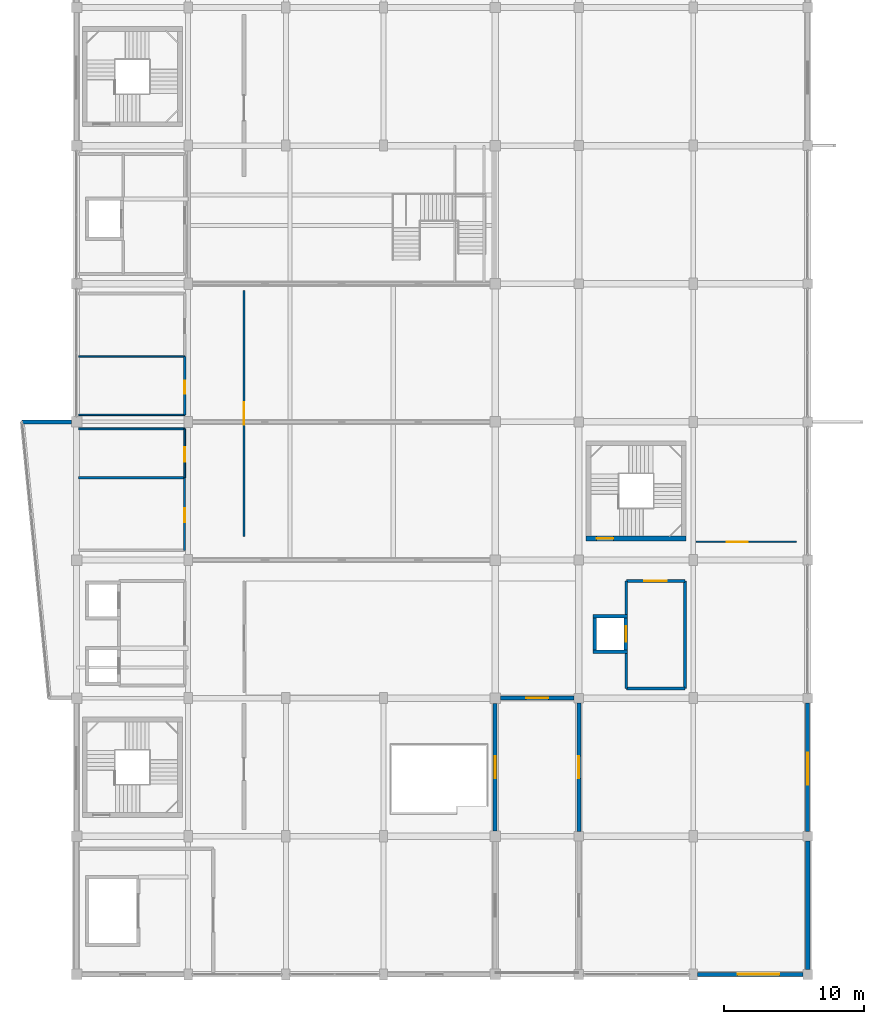
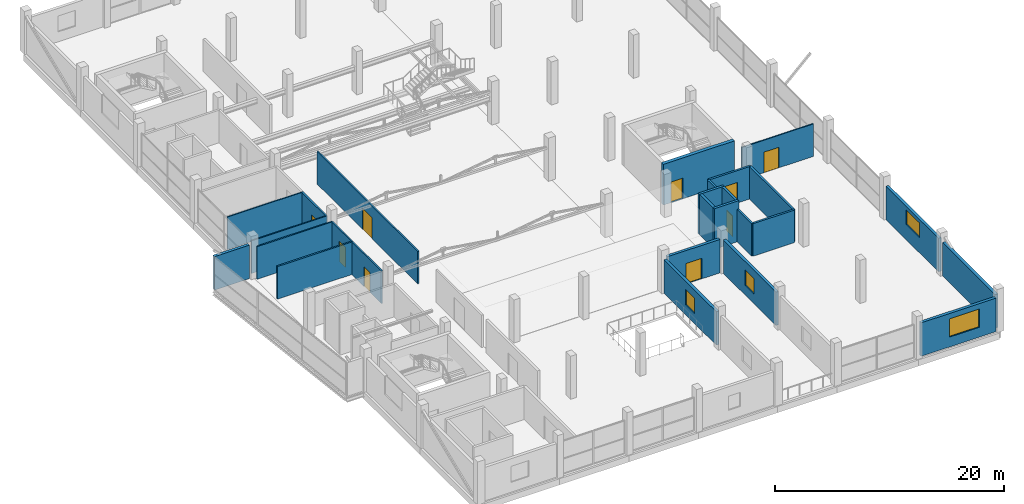
# One storey, part 37 of 49: 26 walls, 9 doors, 4 windows, 13 openings.
"""IFC4 building model written with IfcOpenShell, lengths in metres."""

import ifcopenshell
import ifcopenshell.guid

model = None  # the IFC model being written
_history = None  # IfcOwnerHistory: only IFC2X3 demands one
_inside = {}  # id of a spatial element -> (the spatial element, [elements in it])
_under = {}  # id of a project, library or spatial element -> (it, [spatial elements below it])
_declared = {}  # id of a project -> (the project, [libraries it declares])
_typed = {}  # id of a type object -> (the type object, [elements of that type])
_made_of = {}  # id of a material, layer set ... -> (it, [elements and type objects made of it])


def new_model(schema):
    """Start an empty IFC model of exactly this schema.

    Asked for "IFC4X3", IfcOpenShell would pick the latest addendum, in which some entities
    have other attributes; the version numbers below select the first issue.
    IFC2X3 requires an IfcOwnerHistory on every rooted entity: one is made here for all.
    """
    global model, _history
    if schema == "IFC4X3":
        model = ifcopenshell.file(schema_version=(4, 3, 0, 0))
    else:
        model = ifcopenshell.file(schema=schema)
    _inside.clear()
    _under.clear()
    _declared.clear()
    _typed.clear()
    _made_of.clear()
    _history = None
    if model.schema == "IFC2X3":
        org = make("IfcOrganization", Name="unknown")
        user = make(
            "IfcPersonAndOrganization",
            ThePerson=make("IfcPerson", FamilyName="unknown"),
            TheOrganization=org,
        )
        app = make(
            "IfcApplication",
            ApplicationDeveloper=org,
            Version="unknown",
            ApplicationFullName="unknown",
            ApplicationIdentifier="unknown",
        )
        _history = make(
            "IfcOwnerHistory",
            OwningUser=user,
            OwningApplication=app,
            ChangeAction="ADDED",
            CreationDate=0,
        )
    return model


def make(cls, **values):
    """One entity of the class cls with the attributes given. An attribute that is None is left unset."""
    return model.create_entity(
        cls, **{name: value for name, value in values.items() if value is not None}
    )


def rooted(cls, **values):
    """An entity with a GlobalId (a new one), such as an element, a storey or a relation."""
    return make(cls, GlobalId=ifcopenshell.guid.new(), OwnerHistory=_history, **values)


def si_unit(unit_type, name, prefix=None):
    """IfcSIUnit, for example si_unit("LENGTHUNIT", "METRE", prefix="MILLI")."""
    return make("IfcSIUnit", UnitType=unit_type, Prefix=prefix, Name=name)


def assignment(units):
    """IfcUnitAssignment: the units of a project."""
    return None if units is None else make("IfcUnitAssignment", Units=units)


def point(xyz):
    """IfcCartesianPoint."""
    return None if xyz is None else make("IfcCartesianPoint", Coordinates=xyz)


def direction(xyz):
    """IfcDirection."""
    return None if xyz is None else make("IfcDirection", DirectionRatios=xyz)


def frame(location, z_axis=None, x_axis=None):
    """IfcAxis2Placement3D, a coordinate frame: its origin and axes. An axis left out is left unset."""
    return make(
        "IfcAxis2Placement3D",
        Location=point(location),
        Axis=direction(z_axis),
        RefDirection=direction(x_axis),
    )


def frame_2d(location, x_axis=None):
    """IfcAxis2Placement2D, a coordinate frame in the plane: its origin and x axis."""
    return make(
        "IfcAxis2Placement2D", Location=point(location), RefDirection=direction(x_axis)
    )


def origin():
    """The frame at (0, 0, 0) with its axes left unset."""
    return frame((0.0, 0.0, 0.0))


def place(relative_to, where):
    """IfcLocalPlacement: puts the frame where relative to a parent placement (None: the world)."""
    return make(
        "IfcLocalPlacement", PlacementRelTo=relative_to, RelativePlacement=where
    )


def context(
    kind, dimensions, precision=None, world=None, true_north=None, identifier=None
):
    """IfcGeometricRepresentationContext, for example the 3D "Model" context."""
    return make(
        "IfcGeometricRepresentationContext",
        ContextIdentifier=identifier,
        ContextType=kind,
        CoordinateSpaceDimension=dimensions,
        Precision=precision,
        WorldCoordinateSystem=world,
        TrueNorth=true_north,
    )


def subcontext(parent, identifier, kind, view, scale=None):
    """IfcGeometricRepresentationSubContext, for example "Body" below "Model"."""
    return make(
        "IfcGeometricRepresentationSubContext",
        ContextIdentifier=identifier,
        ContextType=kind,
        ParentContext=parent,
        TargetScale=scale,
        TargetView=view,
    )


def project(units=None, contexts=None):
    """IfcProject with its units and contexts."""
    return rooted(
        "IfcProject",
        Name="project",
        RepresentationContexts=contexts,
        UnitsInContext=assignment(units),
    )


def spatial(cls, under=None, at=None, **own):
    """A site, building, storey or space (cls), placed at a placement, below another one or the project."""
    s = rooted(cls, ObjectPlacement=at, **own)
    if under is not None:
        _under.setdefault(under.id(), (under, []))[1].append(s)
    return s


def profile(cls, at=None, kind="AREA", **sizes):
    """A parametric profile (cls). Its sizes go by their IFC names, for example OverallWidth=200.0."""
    return make(cls, ProfileType=kind, Position=at, **sizes)


def rectangle(**sizes):
    """IfcRectangleProfileDef."""
    return profile("IfcRectangleProfileDef", **sizes)


def extrude(swept, where, along, depth):
    """IfcExtrudedAreaSolid: the profile swept, set in the frame where, extruded along a direction by depth."""
    return make(
        "IfcExtrudedAreaSolid",
        SweptArea=swept,
        Position=where,
        ExtrudedDirection=direction(along),
        Depth=depth,
    )


def shape(context_of_items, identifier, shape_type, items):
    """IfcShapeRepresentation: the items that make up one representation, for example the "Body"."""
    return make(
        "IfcShapeRepresentation",
        ContextOfItems=context_of_items,
        RepresentationIdentifier=identifier,
        RepresentationType=shape_type,
        Items=items,
    )


def material(Name=None, Category=None):
    """IfcMaterial."""
    return make("IfcMaterial", Name=Name, Category=Category)


def layer(
    of_material, thickness, ventilated=None, Name=None, Category=None, Priority=None
):
    """IfcMaterialLayer: one layer of a wall or slab, of a material (None: an air gap)."""
    return make(
        "IfcMaterialLayer",
        Material=of_material,
        LayerThickness=thickness,
        IsVentilated=ventilated,
        Name=Name,
        Category=Category,
        Priority=Priority,
    )


def layer_set(layers, Name=None):
    """IfcMaterialLayerSet."""
    return make("IfcMaterialLayerSet", MaterialLayers=layers, LayerSetName=Name)


def made_of(thing, what):
    """Note that an element or type object is made of a material, layer set ...; save() writes the relation."""
    if what is not None:
        _made_of.setdefault(what.id(), (what, []))[1].append(thing)
    return thing


def type_object(cls, material=None, **own):
    """A type object (cls), such as IfcWallType, which elements share."""
    return made_of(rooted(cls, **own), material)


def element(
    cls,
    number,
    at=None,
    inside=None,
    cuts=None,
    type_object=None,
    material=None,
    context=None,
    identifier="Body",
    shape_type=None,
    held_by="IfcProductDefinitionShape",
    body=None,
    shapes=None,
    **own,
):
    """One element of the class cls, such as IfcWall. Its Tag is "e" and its number.

    at: its placement. inside: the storey or other place that contains it. cuts: it is an
    opening in that element (IfcRelVoidsElement). A single representation is given by context,
    identifier, shape_type and body (its items); several are given by shapes. held_by: the class
    of the entity that holds the representations. save() writes the other relations.
    """
    e = rooted(cls, Tag="e%d" % number, ObjectPlacement=at, **own)
    if body is not None:
        shapes = [shape(context, identifier, shape_type, body)]
    if shapes is not None:
        e.Representation = make(held_by, Representations=shapes)
    if inside is not None:
        _inside.setdefault(inside.id(), (inside, []))[1].append(e)
    if cuts is not None:
        rooted(
            "IfcRelVoidsElement", RelatingBuildingElement=cuts, RelatedOpeningElement=e
        )
    if type_object is not None:
        _typed.setdefault(type_object.id(), (type_object, []))[1].append(e)
    return made_of(e, material)


def fill(opening, filler):
    """IfcRelFillsElement: the door or window that sits in an opening."""
    return rooted(
        "IfcRelFillsElement",
        RelatingOpeningElement=opening,
        RelatedBuildingElement=filler,
    )


def aggregate(whole, parts):
    """IfcRelAggregates: a whole, such as a stair, and the parts it consists of."""
    return rooted("IfcRelAggregates", RelatingObject=whole, RelatedObjects=parts)


def save(model, path):
    """Write the relations noted so far, then the file.

    IfcRelAggregates (storeys below a building ...), IfcRelContainedInSpatialStructure (elements
    in a storey), IfcRelDefinesByType, IfcRelAssociatesMaterial and IfcRelDeclares: one each for
    every whole, place, type object, material and project.
    """
    for whole, parts in _under.values():
        aggregate(whole, parts)
    for where, things in _inside.values():
        rooted(
            "IfcRelContainedInSpatialStructure",
            RelatedElements=things,
            RelatingStructure=where,
        )
    for kind, things in _typed.values():
        rooted("IfcRelDefinesByType", RelatedObjects=things, RelatingType=kind)
    for what, things in _made_of.values():
        rooted("IfcRelAssociatesMaterial", RelatedObjects=things, RelatingMaterial=what)
    for by, libraries in _declared.values():
        rooted("IfcRelDeclares", RelatingContext=by, RelatedDefinitions=libraries)
    model.write(path)


model = new_model("IFC4")

# Units and contexts
model_context = context("Model", 3, precision=1e-05, world=origin(), true_north=direction((0.0, 1.0)))
body_context = subcontext(model_context, "Body", "Model", "MODEL_VIEW")
ifc_project = project(units=[si_unit("LENGTHUNIT", "METRE"), si_unit("AREAUNIT", "SQUARE_METRE"), si_unit("VOLUMEUNIT", "CUBIC_METRE"), si_unit("PLANEANGLEUNIT", "RADIAN"), si_unit("MASSUNIT", "GRAM", prefix="KILO")], contexts=[model_context])

# Site, building, storey
site_placement = place(None, origin())
site = spatial("IfcSite", under=ifc_project, at=site_placement, CompositionType="ELEMENT")
building_placement = place(site_placement, origin())
building = spatial("IfcBuilding", under=site, at=building_placement, Name="Sillaruma Civic Art Gallery", CompositionType="ELEMENT")
storey_placement = place(building_placement, frame((0.0, 0.0, 33.14990234375)))
storey = spatial("IfcBuildingStorey", under=building, at=storey_placement, Name="L06", CompositionType="ELEMENT", Elevation=33.14990234375)

# Wall, opening, door
ifc_material_1 = material(Name="Concrete H40 (40 MPa)", Category="concrete")
ifc_layer_1 = layer(ifc_material_1, 0.35009765625, Name="Concrete H40 (40 MPa)")
ifc_layer_set_1 = layer_set([ifc_layer_1], Name="Concrete H40 (40 MPa)")
wall_type_1 = type_object("IfcWallType", Name="WAL-CORE-350", PredefinedType="SHEAR", material=ifc_layer_set_1)
wall_1_placement = place(storey_placement, frame((98.510009765625, 51.034912109375, 0.0), z_axis=(0.0, 0.0, 1.0), x_axis=(1.0, 0.0, 0.0)))
wall_1 = element("IfcWall", 1, at=wall_1_placement, inside=storey, type_object=wall_type_1, Name="Stair Core Shear Wall W-CORE-350 (ST-04:L06:S)", PredefinedType="SHEAR", context=body_context, shape_type="SweptSolid", body=[
    extrude(rectangle(XDim=7.179931640625, YDim=0.35009765625, at=frame_2d((3.58984375, 0.0))), origin(), (0.0, 0.0, 1.0), 4.35009765625),
])
opening_1_placement = place(wall_1_placement, frame((0.77001953125, 0.0, 0.0)))
opening_1 = element("IfcOpeningElement", 2, at=opening_1_placement, cuts=wall_1, Name="Opening D-STAIR", PredefinedType="OPENING", context=body_context, shape_type="SweptSolid", body=[
    extrude(rectangle(XDim=1.199951171875, YDim=2.199951171875, at=frame_2d((0.60009765625, 1.10009765625))), frame((0.0, 0.18505859375, 0.0), z_axis=(0.0, -1.0, 0.0), x_axis=(1.0, 0.0, 0.0)), (0.0, 0.0, 1.0), 0.3701171875),
])
ifc_material_2 = material(Name="Galvanised Steel ASTM A653 Gr.50", Category="steel")
door_type_1 = type_object("IfcDoorType", Name="DOR-STAIR-120", OperationType="NOTDEFINED", PredefinedType="DOOR", material=ifc_material_2)
door_1_placement = place(opening_1_placement, origin())
door_1 = element("IfcDoor", 3, at=door_1_placement, inside=storey, type_object=door_type_1, Name="Protected Stair Fire Door (ST-04:L06)", OperationType="SINGLE_SWING_RIGHT", OverallHeight=2.199951171875, OverallWidth=1.199951171875, PredefinedType="DOOR", context=body_context, shape_type="SweptSolid", body=[
    extrude(rectangle(XDim=1.199951171875, YDim=2.199951171875, at=frame_2d((0.60009765625, 1.10009765625))), frame((0.0, 0.02490234375, 0.0), z_axis=(0.0, -1.0, 0.0), x_axis=(1.0, 0.0, 0.0)), (0.0, 0.0, 1.0), 0.050048828125),
])
fill(opening_1, door_1)

# Wall, opening, window
ifc_material_3 = material(Name="Concrete H35 (35 MPa)", Category="concrete")
ifc_layer_2 = layer(ifc_material_3, 0.159912109375, Name="Concrete backup", Category="concrete")
ifc_material_4 = material(Name="Mineral Wool Thermal Insulation", Category="insulation")
ifc_layer_3 = layer(ifc_material_4, 0.090087890625, Name="Thermal insulation", Category="insulation")
ifc_material_5 = material(Name="Anodised Zinc-Aluminium Alloy", Category="aluminium")
ifc_layer_4 = layer(ifc_material_5, 0.030029296875, Name="Rainscreen finish", Category="aluminium")
ifc_layer_set_2 = layer_set([ifc_layer_2, ifc_layer_3, ifc_layer_4], Name="W-EXT-280")
wall_type_2 = type_object("IfcWallType", Name="WAL-EXT-280", PredefinedType="SOLIDWALL", material=ifc_layer_set_2)
wall_2_placement = place(storey_placement, frame((114.39990234375, 30.050048828125, 0.0), z_axis=(0.0, 0.0, 1.0), x_axis=(0.0, 1.0, 0.0)))
wall_2 = element("IfcWall", 4, at=wall_2_placement, inside=storey, type_object=wall_type_2, Name="Exterior Wall W-EXT-280 (EW-L06-E-2)", PredefinedType="SOLIDWALL", context=body_context, shape_type="SweptSolid", body=[
    extrude(rectangle(XDim=9.199951171875, YDim=0.280029296875, at=frame_2d((4.60009765625, 0.0))), origin(), (0.0, 0.0, 1.0), 3.570068359375),
])
opening_2_placement = place(wall_2_placement, frame((3.35009765625, 0.0, 1.64990234375)))
opening_2 = element("IfcOpeningElement", 5, at=opening_2_placement, cuts=wall_2, Name="Opening WN-12", PredefinedType="OPENING", context=body_context, shape_type="SweptSolid", body=[
    extrude(rectangle(XDim=2.300048828125, YDim=1.550048828125, at=frame_2d((1.14990234375, 0.77490234375))), frame((0.0, 0.14990234375, 0.0), z_axis=(0.0, -1.0, 0.0), x_axis=(1.0, 0.0, 0.0)), (0.0, 0.0, 1.0), 0.300048828125),
])
ifc_material_6 = material(Name="Thermally Broken Extruded Aluminium 6063-T6", Category="aluminium")
window_type_1 = type_object("IfcWindowType", Name="WIN-W12", PartitioningType="SINGLE_PANEL", PredefinedType="WINDOW", material=ifc_material_6)
window_1_placement = place(opening_2_placement, origin())
window_1 = element("IfcWindow", 6, at=window_1_placement, inside=storey, type_object=window_type_1, Name="Window WN-12 (EW-L06-E-2-1)", OverallHeight=1.550048828125, OverallWidth=2.300048828125, PartitioningType="SINGLE_PANEL", PredefinedType="WINDOW", context=body_context, shape_type="SweptSolid", body=[
    extrude(rectangle(XDim=2.300048828125, YDim=1.550048828125, at=frame_2d((1.14990234375, 0.77490234375))), frame((0.0, 0.030029296875, 0.0), z_axis=(0.0, -1.0, 0.0), x_axis=(1.0, 0.0, 0.0)), (0.0, 0.0, 1.0), 0.06005859375),
])
fill(opening_2, window_1)

# Wall
wall_3_placement = place(storey_placement, frame((61.625, 59.39990234375, 0.0), z_axis=(0.0, 0.0, 1.0), x_axis=(-1.0, 0.0, 0.0)))
element("IfcWall", 7, at=wall_3_placement, inside=storey, type_object=wall_type_2, Name="Exterior Wall W-EXT-280 (EW-PRW-L06-W-S1)", PredefinedType="SOLIDWALL", context=body_context, shape_type="SweptSolid", body=[
    extrude(rectangle(XDim=3.52490234375, YDim=0.280029296875, at=frame_2d((1.762451171875, 0.0))), origin(), (0.0, 0.0, 1.0), 3.570068359375),
])

# Wall, opening, door
wall_4_placement = place(storey_placement, frame((92.375, 39.60009765625, 0.0), z_axis=(0.0, 0.0, 1.0), x_axis=(1.0, 0.0, 0.0)))
wall_4 = element("IfcWall", 8, at=wall_4_placement, inside=storey, type_object=wall_type_2, Name="Exterior Wall W-EXT-280 (EW-L06-CYN-S)", PredefinedType="SOLIDWALL", context=body_context, shape_type="SweptSolid", body=[
    extrude(rectangle(XDim=5.27490234375, YDim=0.280029296875, at=frame_2d((2.637451171875, 0.0))), origin(), (0.0, 0.0, 1.0), 3.570068359375),
])
opening_3_placement = place(wall_4_placement, frame((1.837890625, 0.0, 0.0)))
opening_3 = element("IfcOpeningElement", 9, at=opening_3_placement, cuts=wall_4, Name="Opening D-TER2", PredefinedType="OPENING", context=body_context, shape_type="SweptSolid", body=[
    extrude(rectangle(XDim=1.60009765625, YDim=2.199951171875, at=frame_2d((0.800048828125, 1.10009765625))), frame((0.0, 0.14990234375, 0.0), z_axis=(0.0, -1.0, 0.0), x_axis=(1.0, 0.0, 0.0)), (0.0, 0.0, 1.0), 0.300048828125),
])
door_type_2 = type_object("IfcDoorType", Name="DOR-TER-160", OperationType="NOTDEFINED", PredefinedType="DOOR", material=ifc_material_6)
door_2_placement = place(opening_3_placement, frame((1.60009765625, 0.0, 0.0), z_axis=(0.0, 0.0, 1.0), x_axis=(-1.0, 0.0, 0.0)))
door_2 = element("IfcDoor", 10, at=door_2_placement, inside=storey, type_object=door_type_2, Name="L06 Canyon Sculpture Terrace Door", OperationType="DOUBLE_DOOR_SINGLE_SWING", OverallHeight=2.199951171875, OverallWidth=1.60009765625, PredefinedType="DOOR", context=body_context, shape_type="SweptSolid", body=[
    extrude(rectangle(XDim=1.60009765625, YDim=2.199951171875, at=frame_2d((0.800048828125, 1.10009765625))), frame((0.0, 0.02490234375, 0.0), z_axis=(0.0, -1.0, 0.0), x_axis=(1.0, 0.0, 0.0)), (0.0, 0.0, 1.0), 0.050048828125),
])
fill(opening_3, door_2)

# Wall, opening, window
wall_5_placement = place(storey_placement, frame((92.0, 30.074951171875, 0.0), z_axis=(0.0, 0.0, 1.0), x_axis=(0.0, 1.0, 0.0)))
wall_5 = element("IfcWall", 11, at=wall_5_placement, inside=storey, type_object=wall_type_2, Name="Exterior Wall W-EXT-280 (EW-L06-CYN-W2)", PredefinedType="SOLIDWALL", context=body_context, shape_type="SweptSolid", body=[
    extrude(rectangle(XDim=9.150146484375, YDim=0.280029296875, at=frame_2d((4.5751953125, 0.0))), origin(), (0.0, 0.0, 1.0), 3.570068359375),
])
opening_4_placement = place(wall_5_placement, frame((3.77490234375, 0.0, 1.050048828125)))
opening_4 = element("IfcOpeningElement", 12, at=opening_4_placement, cuts=wall_5, Name="Opening WN-05", PredefinedType="OPENING", context=body_context, shape_type="SweptSolid", body=[
    extrude(rectangle(XDim=1.60009765625, YDim=1.64990234375, at=frame_2d((0.800048828125, 0.824951171875))), frame((0.0, 0.14990234375, 0.0), z_axis=(0.0, -1.0, 0.0), x_axis=(1.0, 0.0, 0.0)), (0.0, 0.0, 1.0), 0.300048828125),
])
window_type_2 = type_object("IfcWindowType", Name="WIN-W05", PartitioningType="SINGLE_PANEL", PredefinedType="WINDOW", material=ifc_material_6)
window_2_placement = place(opening_4_placement, origin())
window_2 = element("IfcWindow", 13, at=window_2_placement, inside=storey, type_object=window_type_2, Name="Window WN-05 (EW-L06-CYN-W2-1)", OverallHeight=1.64990234375, OverallWidth=1.60009765625, PartitioningType="SINGLE_PANEL", PredefinedType="WINDOW", context=body_context, shape_type="SweptSolid", body=[
    extrude(rectangle(XDim=1.60009765625, YDim=1.64990234375, at=frame_2d((0.800048828125, 0.824951171875))), frame((0.0, 0.030029296875, 0.0), z_axis=(0.0, -1.0, 0.0), x_axis=(1.0, 0.0, 0.0)), (0.0, 0.0, 1.0), 0.06005859375),
])
fill(opening_4, window_2)

wall_6_placement = place(storey_placement, frame((98.0, 30.050048828125, 0.0), z_axis=(0.0, 0.0, 1.0), x_axis=(0.0, 1.0, 0.0)))
wall_6 = element("IfcWall", 14, at=wall_6_placement, inside=storey, type_object=wall_type_2, Name="Exterior Wall W-EXT-280 (EW-L06-CYN-E2)", PredefinedType="SOLIDWALL", context=body_context, shape_type="SweptSolid", body=[
    extrude(rectangle(XDim=9.199951171875, YDim=0.280029296875, at=frame_2d((4.60009765625, 0.0))), origin(), (0.0, 0.0, 1.0), 3.570068359375),
])
opening_5_placement = place(wall_6_placement, frame((3.800048828125, 0.0, 1.050048828125)))
opening_5 = element("IfcOpeningElement", 15, at=opening_5_placement, cuts=wall_6, Name="Opening WN-05", PredefinedType="OPENING", context=body_context, shape_type="SweptSolid", body=[
    extrude(rectangle(XDim=1.60009765625, YDim=1.64990234375, at=frame_2d((0.800048828125, 0.824951171875))), frame((0.0, 0.14990234375, 0.0), z_axis=(0.0, -1.0, 0.0), x_axis=(1.0, 0.0, 0.0)), (0.0, 0.0, 1.0), 0.300048828125),
])
window_3_placement = place(opening_5_placement, origin())
window_3 = element("IfcWindow", 16, at=window_3_placement, inside=storey, type_object=window_type_2, Name="Window WN-05 (EW-L06-CYN-E2-1)", OverallHeight=1.64990234375, OverallWidth=1.60009765625, PartitioningType="SINGLE_PANEL", PredefinedType="WINDOW", context=body_context, shape_type="SweptSolid", body=[
    extrude(rectangle(XDim=1.60009765625, YDim=1.64990234375, at=frame_2d((0.800048828125, 0.824951171875))), frame((0.0, 0.030029296875, 0.0), z_axis=(0.0, -1.0, 0.0), x_axis=(1.0, 0.0, 0.0)), (0.0, 0.0, 1.0), 0.06005859375),
])
fill(opening_5, window_3)

ifc_layer_5 = layer(ifc_material_3, 0.169921875, Name="Concrete backup", Category="concrete")
ifc_layer_6 = layer(ifc_material_4, 0.090087890625, Name="Thermal insulation", Category="insulation")
ifc_layer_7 = layer(ifc_material_5, 0.030029296875, Name="Rainscreen finish", Category="aluminium")
ifc_layer_set_3 = layer_set([ifc_layer_5, ifc_layer_6, ifc_layer_7], Name="W-EXT-290")
wall_type_3 = type_object("IfcWallType", Name="WAL-EXT-290", PredefinedType="SOLIDWALL", material=ifc_layer_set_3)
wall_7_placement = place(storey_placement, frame((106.5, 19.800048828125, 0.0), z_axis=(0.0, 0.0, 1.0), x_axis=(1.0, 0.0, 0.0)))
wall_7 = element("IfcWall", 17, at=wall_7_placement, inside=storey, type_object=wall_type_3, Name="Exterior Wall W-EXT-290 (EW-L06-S-7)", PredefinedType="SOLIDWALL", context=body_context, shape_type="SweptSolid", body=[
    extrude(rectangle(XDim=7.550048828125, YDim=0.2900390625, at=frame_2d((3.77490234375, 0.0))), origin(), (0.0, 0.0, 1.0), 3.570068359375),
])
opening_6_placement = place(wall_7_placement, frame((2.875, 0.0, 1.050048828125)))
opening_6 = element("IfcOpeningElement", 18, at=opening_6_placement, cuts=wall_7, Name="Opening WN-10", PredefinedType="OPENING", context=body_context, shape_type="SweptSolid", body=[
    extrude(rectangle(XDim=3.0, YDim=1.949951171875, at=frame_2d((1.5, 0.97509765625))), frame((0.0, 0.155029296875, 0.0), z_axis=(0.0, -1.0, 0.0), x_axis=(1.0, 0.0, 0.0)), (0.0, 0.0, 1.0), 0.31005859375),
])
window_type_3 = type_object("IfcWindowType", Name="WIN-W10", PartitioningType="SINGLE_PANEL", PredefinedType="WINDOW", material=ifc_material_6)
window_4_placement = place(opening_6_placement, origin())
window_4 = element("IfcWindow", 19, at=window_4_placement, inside=storey, type_object=window_type_3, Name="Window WN-10 (EW-L06-S-7-1)", OverallHeight=1.949951171875, OverallWidth=3.0, PartitioningType="SINGLE_PANEL", PredefinedType="WINDOW", context=body_context, shape_type="SweptSolid", body=[
    extrude(rectangle(XDim=3.0, YDim=1.949951171875, at=frame_2d((1.5, 0.97509765625))), frame((0.0, 0.030029296875, 0.0), z_axis=(0.0, -1.0, 0.0), x_axis=(1.0, 0.0, 0.0)), (0.0, 0.0, 1.0), 0.06005859375),
])
fill(opening_6, window_4)

# Walls
ifc_material_7 = material(Name="Precast Concrete H35 (35 MPa)", Category="concrete")
ifc_layer_8 = layer(ifc_material_7, 0.179931640625, Name="Precast backup", Category="concrete")
ifc_layer_9 = layer(ifc_material_4, 0.090087890625, Name="Thermal insulation", Category="insulation")
ifc_material_8 = material(Name="Comanche Granitic Ashlar Stone", Category="masonry")
ifc_layer_10 = layer(ifc_material_8, 0.030029296875, Name="Rainscreen cladding", Category="masonry")
ifc_layer_set_4 = layer_set([ifc_layer_8, ifc_layer_9, ifc_layer_10], Name="W-EXT-300")
wall_type_4 = type_object("IfcWallType", Name="WAL-EXT-300", PredefinedType="SOLIDWALL", material=ifc_layer_set_4)
wall_8_placement = place(storey_placement, frame((114.39990234375, 20.14990234375, 0.0), z_axis=(0.0, 0.0, 1.0), x_axis=(0.0, 1.0, 0.0)))
element("IfcWall", 20, at=wall_8_placement, inside=storey, type_object=wall_type_4, Name="Exterior Wall W-EXT-300 (EW-L06-E-1)", PredefinedType="SOLIDWALL", context=body_context, shape_type="SweptSolid", body=[
    extrude(rectangle(XDim=9.2001953125, YDim=0.300048828125, at=frame_2d((4.60009765625, 0.0))), origin(), (0.0, 0.0, 1.0), 3.570068359375),
])
ifc_material_9 = material(Name="Concrete Masonry Unit Grade M15", Category="masonry")
ifc_layer_11 = layer(ifc_material_9, 0.199951171875, Name="Concrete Masonry Unit Grade M15")
ifc_layer_set_5 = layer_set([ifc_layer_11], Name="Concrete Masonry Unit Grade M15")
wall_type_5 = type_object("IfcWallType", Name="WAL-LOBBY-200", PredefinedType="SOLIDWALL", material=ifc_layer_set_5)
wall_9_placement = place(storey_placement, frame((101.39990234375, 40.300048828125, 0.0), z_axis=(0.0, 0.0, 1.0), x_axis=(1.0, 0.0, 0.0)))
element("IfcWall", 21, at=wall_9_placement, inside=storey, type_object=wall_type_5, Name="Interior Wall W-LOBBY-200 (L06-LLE)", PredefinedType="SOLIDWALL", context=body_context, shape_type="SweptSolid", body=[
    extrude(rectangle(XDim=4.2001953125, YDim=0.199951171875, at=frame_2d((2.10009765625, 0.0))), origin(), (0.0, 0.0, 1.0), 3.47021484375),
])
wall_10_placement = place(storey_placement, frame((101.39990234375, 40.300048828125, 0.0), z_axis=(0.0, 0.0, 1.0), x_axis=(0.0, 1.0, 0.0)))
element("IfcWall", 22, at=wall_10_placement, inside=storey, type_object=wall_type_5, Name="Interior Wall W-LOBBY-200 (L06-LLE)", PredefinedType="SOLIDWALL", context=body_context, shape_type="SweptSolid", body=[
    extrude(rectangle(XDim=2.5, YDim=0.199951171875, at=frame_2d((1.25, 0.0))), origin(), (0.0, 0.0, 1.0), 3.47021484375),
])
wall_11_placement = place(storey_placement, frame((101.39990234375, 45.60009765625, 0.0), z_axis=(0.0, 0.0, 1.0), x_axis=(0.0, 1.0, 0.0)))
element("IfcWall", 23, at=wall_11_placement, inside=storey, type_object=wall_type_5, Name="Interior Wall W-LOBBY-200 (L06-LLE)", PredefinedType="SOLIDWALL", context=body_context, shape_type="SweptSolid", body=[
    extrude(rectangle(XDim=2.39990234375, YDim=0.199951171875, at=frame_2d((1.199951171875, 0.0))), origin(), (0.0, 0.0, 1.0), 3.47021484375),
])
wall_12_placement = place(storey_placement, frame((105.60009765625, 40.300048828125, 0.0), z_axis=(0.0, 0.0, 1.0), x_axis=(0.0, 1.0, 0.0)))
element("IfcWall", 24, at=wall_12_placement, inside=storey, type_object=wall_type_5, Name="Interior Wall W-LOBBY-200 (L06-LLE)", PredefinedType="SOLIDWALL", context=body_context, shape_type="SweptSolid", body=[
    extrude(rectangle(XDim=7.699951171875, YDim=0.199951171875, at=frame_2d((3.85009765625, 0.0))), origin(), (0.0, 0.0, 1.0), 3.47021484375),
])

# Wall, opening, door
wall_13_placement = place(storey_placement, frame((101.39990234375, 48.0, 0.0), z_axis=(0.0, 0.0, 1.0), x_axis=(1.0, 0.0, 0.0)))
wall_13 = element("IfcWall", 25, at=wall_13_placement, inside=storey, type_object=wall_type_5, Name="Interior Wall W-LOBBY-200 (L06-LLE)", PredefinedType="SOLIDWALL", context=body_context, shape_type="SweptSolid", body=[
    extrude(rectangle(XDim=4.2001953125, YDim=0.199951171875, at=frame_2d((2.10009765625, 0.0))), origin(), (0.0, 0.0, 1.0), 3.47021484375),
])
opening_7_placement = place(wall_13_placement, frame((1.300048828125, 0.0, 0.0)))
opening_7 = element("IfcOpeningElement", 26, at=opening_7_placement, cuts=wall_13, Name="Opening D-LOBBY", PredefinedType="OPENING", context=body_context, shape_type="SweptSolid", body=[
    extrude(rectangle(XDim=1.60009765625, YDim=2.199951171875, at=frame_2d((0.800048828125, 1.10009765625))), frame((0.0, 0.10986328125, 0.0), z_axis=(0.0, -1.0, 0.0), x_axis=(1.0, 0.0, 0.0)), (0.0, 0.0, 1.0), 0.219970703125),
])
door_type_3 = type_object("IfcDoorType", Name="DOR-LOBBY-160", OperationType="NOTDEFINED", PredefinedType="DOOR", material=ifc_material_6)
door_3_placement = place(opening_7_placement, origin())
door_3 = element("IfcDoor", 27, at=door_3_placement, inside=storey, type_object=door_type_3, Name="East Lift Lobby Door (D-LOBBY)", OperationType="DOUBLE_DOOR_SINGLE_SWING", OverallHeight=2.199951171875, OverallWidth=1.60009765625, PredefinedType="DOOR", context=body_context, shape_type="SweptSolid", body=[
    extrude(rectangle(XDim=1.60009765625, YDim=2.199951171875, at=frame_2d((0.800048828125, 1.10009765625))), frame((0.0, 0.02490234375, 0.0), z_axis=(0.0, -1.0, 0.0), x_axis=(1.0, 0.0, 0.0)), (0.0, 0.0, 1.0), 0.050048828125),
])
fill(opening_7, door_3)

# Walls
ifc_material_10 = material(Name="Gypsum Acoustic Board", Category="gypsum")
ifc_layer_12 = layer(ifc_material_10, 0.02490234375, Name="Finish board", Category="gypsum")
ifc_layer_13 = layer(ifc_material_4, 0.06005859375, Name="Acoustic core", Category="insulation")
ifc_material_11 = material(Name="Andean Oak Timber", Category="wood")
ifc_layer_14 = layer(ifc_material_11, 0.02490234375, Name="Gallery lining", Category="wood")
ifc_layer_set_6 = layer_set([ifc_layer_12, ifc_layer_13, ifc_layer_14], Name="W-PT-110")
wall_type_6 = type_object("IfcWallType", Name="WAL-PART-110", PredefinedType="PARTITIONING", material=ifc_layer_set_6)
wall_14_placement = place(storey_placement, frame((62.14990234375, 64.10009765625, 0.0), z_axis=(0.0, 0.0, 1.0), x_axis=(1.0, 0.0, 0.0)))
element("IfcWall", 28, at=wall_14_placement, inside=storey, type_object=wall_type_6, Name="Interior Wall W-PT-110 (L06-CLN)", PredefinedType="PARTITIONING", context=body_context, shape_type="SweptSolid", body=[
    extrude(rectangle(XDim=7.60009765625, YDim=0.110107421875, at=frame_2d((3.800048828125, 0.0))), origin(), (0.0, 0.0, 1.0), 3.47021484375),
])
ifc_layer_15 = layer(ifc_material_10, 0.02490234375, Name="Finish board", Category="gypsum")
ifc_layer_16 = layer(ifc_material_4, 0.070068359375, Name="Acoustic core", Category="insulation")
ifc_layer_17 = layer(ifc_material_11, 0.02490234375, Name="Gallery lining", Category="wood")
ifc_layer_set_7 = layer_set([ifc_layer_15, ifc_layer_16, ifc_layer_17], Name="W-PT-120")
wall_type_7 = type_object("IfcWallType", Name="WAL-PART-120", PredefinedType="PARTITIONING", material=ifc_layer_set_7)
wall_15_placement = place(storey_placement, frame((62.14990234375, 59.89990234375, 0.0), z_axis=(0.0, 0.0, 1.0), x_axis=(1.0, 0.0, 0.0)))
element("IfcWall", 29, at=wall_15_placement, inside=storey, type_object=wall_type_7, Name="Interior Wall W-PT-120 (L06-CLN)", PredefinedType="PARTITIONING", context=body_context, shape_type="SweptSolid", body=[
    extrude(rectangle(XDim=7.60009765625, YDim=0.1201171875, at=frame_2d((3.800048828125, 0.0))), origin(), (0.0, 0.0, 1.0), 3.47021484375),
])

# Wall, opening, door
wall_16_placement = place(storey_placement, frame((106.39990234375, 50.800048828125, 0.0), z_axis=(0.0, 0.0, 1.0), x_axis=(1.0, 0.0, 0.0)))
wall_16 = element("IfcWall", 30, at=wall_16_placement, inside=storey, type_object=wall_type_7, Name="Interior Wall W-PT-120 (L06-CNS62)", PredefinedType="PARTITIONING", context=body_context, shape_type="SweptSolid", body=[
    extrude(rectangle(XDim=7.2001953125, YDim=0.1201171875, at=frame_2d((3.60009765625, 0.0))), origin(), (0.0, 0.0, 1.0), 3.47021484375),
])
opening_8_placement = place(wall_16_placement, frame((2.199951171875, 0.0, 0.0)))
opening_8 = element("IfcOpeningElement", 31, at=opening_8_placement, cuts=wall_16, Name="Opening D-INT15", PredefinedType="OPENING", context=body_context, shape_type="SweptSolid", body=[
    extrude(rectangle(XDim=1.5, YDim=2.199951171875, at=frame_2d((0.75, 1.10009765625))), frame((0.0, 0.070068359375, 0.0), z_axis=(0.0, -1.0, 0.0), x_axis=(1.0, 0.0, 0.0)), (0.0, 0.0, 1.0), 0.14013671875),
])
door_type_4 = type_object("IfcDoorType", Name="DOR-INT-150", OperationType="NOTDEFINED", PredefinedType="DOOR", material=ifc_material_11)
door_4_placement = place(opening_8_placement, origin())
door_4 = element("IfcDoor", 32, at=door_4_placement, inside=storey, type_object=door_type_4, Name="Analytical Imaging Conservation Studio Door (D-INT15)", OperationType="SINGLE_SWING_RIGHT", OverallHeight=2.199951171875, OverallWidth=1.5, PredefinedType="DOOR", context=body_context, shape_type="SweptSolid", body=[
    extrude(rectangle(XDim=1.5, YDim=2.199951171875, at=frame_2d((0.75, 1.10009765625))), frame((0.0, 0.02490234375, 0.0), z_axis=(0.0, -1.0, 0.0), x_axis=(1.0, 0.0, 0.0)), (0.0, 0.0, 1.0), 0.050048828125),
])
fill(opening_8, door_4)

ifc_layer_18 = layer(ifc_material_10, 0.02490234375, Name="Finish board", Category="gypsum")
ifc_layer_19 = layer(ifc_material_4, 0.080078125, Name="Acoustic core", Category="insulation")
ifc_layer_20 = layer(ifc_material_11, 0.02490234375, Name="Gallery lining", Category="wood")
ifc_layer_set_8 = layer_set([ifc_layer_18, ifc_layer_19, ifc_layer_20], Name="W-PT-130")
wall_type_8 = type_object("IfcWallType", Name="WAL-PART-130", PredefinedType="PARTITIONING", material=ifc_layer_set_8)
wall_17_placement = place(storey_placement, frame((69.75, 55.39990234375, 0.0), z_axis=(0.0, 0.0, 1.0), x_axis=(0.0, 1.0, 0.0)))
wall_17 = element("IfcWall", 33, at=wall_17_placement, inside=storey, type_object=wall_type_8, Name="Interior Wall W-PT-130 (L06-WCA)", PredefinedType="PARTITIONING", context=body_context, shape_type="SweptSolid", body=[
    extrude(rectangle(XDim=3.5, YDim=0.1298828125, at=frame_2d((1.75, 0.0))), origin(), (0.0, 0.0, 1.0), 3.47021484375),
])
opening_9_placement = place(wall_17_placement, frame((1.14990234375, 0.0, 0.0)))
opening_9 = element("IfcOpeningElement", 34, at=opening_9_placement, cuts=wall_17, Name="Opening D-AWC10", PredefinedType="OPENING", context=body_context, shape_type="SweptSolid", body=[
    extrude(rectangle(XDim=1.050048828125, YDim=2.14990234375, at=frame_2d((0.52490234375, 1.074951171875))), frame((0.0, 0.074951171875, 0.0), z_axis=(0.0, -1.0, 0.0), x_axis=(1.0, 0.0, 0.0)), (0.0, 0.0, 1.0), 0.14990234375),
])
door_type_5 = type_object("IfcDoorType", Name="DOR-AWC-105", OperationType="NOTDEFINED", PredefinedType="DOOR", material=ifc_material_11)
door_5_placement = place(opening_9_placement, origin())
door_5 = element("IfcDoor", 35, at=door_5_placement, inside=storey, type_object=door_type_5, Name="Accessible WC Door (D-AWC10)", OperationType="SINGLE_SWING_LEFT", OverallHeight=2.14990234375, OverallWidth=1.050048828125, PredefinedType="DOOR", context=body_context, shape_type="SweptSolid", body=[
    extrude(rectangle(XDim=1.050048828125, YDim=2.14990234375, at=frame_2d((0.52490234375, 1.074951171875))), frame((0.0, 0.02490234375, 0.0), z_axis=(0.0, -1.0, 0.0), x_axis=(1.0, 0.0, 0.0)), (0.0, 0.0, 1.0), 0.050048828125),
])
fill(opening_9, door_5)

# Wall
ifc_layer_21 = layer(ifc_material_10, 0.02490234375, Name="Finish board", Category="gypsum")
ifc_layer_22 = layer(ifc_material_4, 0.090087890625, Name="Acoustic core", Category="insulation")
ifc_layer_23 = layer(ifc_material_11, 0.02490234375, Name="Gallery lining", Category="wood")
ifc_layer_set_9 = layer_set([ifc_layer_21, ifc_layer_22, ifc_layer_23], Name="W-PT-140")
wall_type_9 = type_object("IfcWallType", Name="WAL-PART-140", PredefinedType="PARTITIONING", material=ifc_layer_set_9)
wall_18_placement = place(storey_placement, frame((62.14990234375, 58.89990234375, 0.0), z_axis=(0.0, 0.0, 1.0), x_axis=(1.0, 0.0, 0.0)))
element("IfcWall", 36, at=wall_18_placement, inside=storey, type_object=wall_type_9, Name="Interior Wall W-PT-140 (L06-WCA)", PredefinedType="PARTITIONING", context=body_context, shape_type="SweptSolid", body=[
    extrude(rectangle(XDim=7.60009765625, YDim=0.139892578125, at=frame_2d((3.800048828125, 0.0))), origin(), (0.0, 0.0, 1.0), 3.47021484375),
])

# Wall, opening, door
ifc_layer_24 = layer(ifc_material_10, 0.02490234375, Name="Finish board", Category="gypsum")
ifc_layer_25 = layer(ifc_material_4, 0.10009765625, Name="Acoustic core", Category="insulation")
ifc_layer_26 = layer(ifc_material_11, 0.02490234375, Name="Gallery lining", Category="wood")
ifc_layer_set_10 = layer_set([ifc_layer_24, ifc_layer_25, ifc_layer_26], Name="W-PT-150")
wall_type_10 = type_object("IfcWallType", Name="WAL-PART-150", PredefinedType="PARTITIONING", material=ifc_layer_set_10)
wall_19_placement = place(storey_placement, frame((69.75, 50.199951171875, 0.0), z_axis=(0.0, 0.0, 1.0), x_axis=(0.0, 1.0, 0.0)))
wall_19 = element("IfcWall", 37, at=wall_19_placement, inside=storey, type_object=wall_type_10, Name="Interior Wall W-PT-150 (L06-WC1)", PredefinedType="PARTITIONING", context=body_context, shape_type="SweptSolid", body=[
    extrude(rectangle(XDim=5.199951171875, YDim=0.14990234375, at=frame_2d((2.60009765625, 0.0))), origin(), (0.0, 0.0, 1.0), 3.47021484375),
])
opening_10_placement = place(wall_19_placement, frame((2.0, 0.0, 0.0)))
opening_10 = element("IfcOpeningElement", 38, at=opening_10_placement, cuts=wall_19, Name="Opening D-WC10", PredefinedType="OPENING", context=body_context, shape_type="SweptSolid", body=[
    extrude(rectangle(XDim=1.0, YDim=2.10009765625, at=frame_2d((0.5, 1.050048828125))), frame((0.0, 0.0849609375, 0.0), z_axis=(0.0, -1.0, 0.0), x_axis=(1.0, 0.0, 0.0)), (0.0, 0.0, 1.0), 0.169921875),
])
door_type_6 = type_object("IfcDoorType", Name="DOR-WC-100", OperationType="NOTDEFINED", PredefinedType="DOOR", material=ifc_material_11)
door_6_placement = place(opening_10_placement, origin())
door_6 = element("IfcDoor", 39, at=door_6_placement, inside=storey, type_object=door_type_6, Name="Public WC Door (D-WC10)", OperationType="SINGLE_SWING_RIGHT", OverallHeight=2.10009765625, OverallWidth=1.0, PredefinedType="DOOR", context=body_context, shape_type="SweptSolid", body=[
    extrude(rectangle(XDim=1.0, YDim=2.10009765625, at=frame_2d((0.5, 1.050048828125))), frame((0.0, 0.02490234375, 0.0), z_axis=(0.0, -1.0, 0.0), x_axis=(1.0, 0.0, 0.0)), (0.0, 0.0, 1.0), 0.050048828125),
])
fill(opening_10, door_6)

wall_20_placement = place(storey_placement, frame((74.0, 51.199951171875, 0.0), z_axis=(0.0, 0.0, 1.0), x_axis=(0.0, 1.0, 0.0)))
wall_20 = element("IfcWall", 40, at=wall_20_placement, inside=storey, type_object=wall_type_10, Name="Interior Wall W-PT-150 (L06-CNS61)", PredefinedType="PARTITIONING", context=body_context, shape_type="SweptSolid", body=[
    extrude(rectangle(XDim=17.60009765625, YDim=0.14990234375, at=frame_2d((8.800048828125, 0.0))), origin(), (0.0, 0.0, 1.0), 3.47021484375),
])
opening_11_placement = place(wall_20_placement, frame((8.0, 0.0, 0.0)))
opening_11 = element("IfcOpeningElement", 41, at=opening_11_placement, cuts=wall_20, Name="Opening D-INT16", PredefinedType="OPENING", context=body_context, shape_type="SweptSolid", body=[
    extrude(rectangle(XDim=1.60009765625, YDim=2.25, at=frame_2d((0.800048828125, 1.125))), frame((0.0, 0.0849609375, 0.0), z_axis=(0.0, -1.0, 0.0), x_axis=(1.0, 0.0, 0.0)), (0.0, 0.0, 1.0), 0.169921875),
])
door_type_7 = type_object("IfcDoorType", Name="DOR-INT-160", OperationType="NOTDEFINED", PredefinedType="DOOR", material=ifc_material_11)
door_7_placement = place(opening_11_placement, origin())
door_7 = element("IfcDoor", 42, at=door_7_placement, inside=storey, type_object=door_type_7, Name="Objects and Ceramics Conservation Studio Door (D-INT16)", OperationType="DOUBLE_DOOR_SINGLE_SWING", OverallHeight=2.25, OverallWidth=1.60009765625, PredefinedType="DOOR", context=body_context, shape_type="SweptSolid", body=[
    extrude(rectangle(XDim=1.60009765625, YDim=2.25, at=frame_2d((0.800048828125, 1.125))), frame((0.0, 0.02490234375, 0.0), z_axis=(0.0, -1.0, 0.0), x_axis=(1.0, 0.0, 0.0)), (0.0, 0.0, 1.0), 0.050048828125),
])
fill(opening_11, door_7)

# Wall
ifc_layer_27 = layer(ifc_material_10, 0.02490234375, Name="Finish board", Category="gypsum")
ifc_layer_28 = layer(ifc_material_4, 0.114990234375, Name="Acoustic core", Category="insulation")
ifc_layer_29 = layer(ifc_material_11, 0.02490234375, Name="Gallery lining", Category="wood")
ifc_layer_set_11 = layer_set([ifc_layer_27, ifc_layer_28, ifc_layer_29], Name="W-PT-165")
wall_type_11 = type_object("IfcWallType", Name="WAL-PART-165", PredefinedType="PARTITIONING", material=ifc_layer_set_11)
wall_21_placement = place(storey_placement, frame((62.14990234375, 55.39990234375, 0.0), z_axis=(0.0, 0.0, 1.0), x_axis=(1.0, 0.0, 0.0)))
element("IfcWall", 43, at=wall_21_placement, inside=storey, type_object=wall_type_11, Name="Interior Wall W-PT-165 (L06-WC1)", PredefinedType="PARTITIONING", context=body_context, shape_type="SweptSolid", body=[
    extrude(rectangle(XDim=7.60009765625, YDim=0.1650390625, at=frame_2d((3.800048828125, 0.0))), origin(), (0.0, 0.0, 1.0), 3.47021484375),
])

# Wall, opening, door
ifc_layer_30 = layer(ifc_material_10, 0.02490234375, Name="Finish board", Category="gypsum")
ifc_layer_31 = layer(ifc_material_4, 0.1298828125, Name="Acoustic core", Category="insulation")
ifc_layer_32 = layer(ifc_material_11, 0.02490234375, Name="Gallery lining", Category="wood")
ifc_layer_set_12 = layer_set([ifc_layer_30, ifc_layer_31, ifc_layer_32], Name="W-PT-180")
wall_type_12 = type_object("IfcWallType", Name="WAL-PART-180", PredefinedType="PARTITIONING", material=ifc_layer_set_12)
wall_22_placement = place(storey_placement, frame((69.75, 59.89990234375, 0.0), z_axis=(0.0, 0.0, 1.0), x_axis=(0.0, 1.0, 0.0)))
wall_22 = element("IfcWall", 44, at=wall_22_placement, inside=storey, type_object=wall_type_12, Name="Interior Wall W-PT-180 (L06-CLN)", PredefinedType="PARTITIONING", context=body_context, shape_type="SweptSolid", body=[
    extrude(rectangle(XDim=4.2001953125, YDim=0.179931640625, at=frame_2d((2.10009765625, 0.0))), origin(), (0.0, 0.0, 1.0), 3.47021484375),
])
opening_12_placement = place(wall_22_placement, frame((1.5, 0.0, 0.0)))
opening_12 = element("IfcOpeningElement", 45, at=opening_12_placement, cuts=wall_22, Name="Opening D-SVC09", PredefinedType="OPENING", context=body_context, shape_type="SweptSolid", body=[
    extrude(rectangle(XDim=0.949951171875, YDim=2.10009765625, at=frame_2d((0.47509765625, 1.050048828125))), frame((0.0, 0.099853515625, 0.0), z_axis=(0.0, -1.0, 0.0), x_axis=(1.0, 0.0, 0.0)), (0.0, 0.0, 1.0), 0.199951171875),
])
door_type_8 = type_object("IfcDoorType", Name="DOR-SVC-095", OperationType="NOTDEFINED", PredefinedType="DOOR", material=ifc_material_11)
door_8_placement = place(opening_12_placement, origin())
door_8 = element("IfcDoor", 46, at=door_8_placement, inside=storey, type_object=door_type_8, Name="Cleaner Store Door (D-SVC09)", OperationType="SINGLE_SWING_RIGHT", OverallHeight=2.10009765625, OverallWidth=0.949951171875, PredefinedType="DOOR", context=body_context, shape_type="SweptSolid", body=[
    extrude(rectangle(XDim=0.949951171875, YDim=2.10009765625, at=frame_2d((0.47509765625, 1.050048828125))), frame((0.0, 0.02490234375, 0.0), z_axis=(0.0, -1.0, 0.0), x_axis=(1.0, 0.0, 0.0)), (0.0, 0.0, 1.0), 0.050048828125),
])
fill(opening_12, door_8)

# Walls
ifc_layer_33 = layer(ifc_material_1, 0.25, Name="Concrete H40 (40 MPa)")
ifc_layer_set_13 = layer_set([ifc_layer_33], Name="Concrete H40 (40 MPa)")
wall_type_13 = type_object("IfcWallType", Name="WAL-SHAFT-250", PredefinedType="SOLIDWALL", material=ifc_layer_set_13)
for number, where, z_axis, x_axis, name in (
    (47, (99.0, 42.925048828125, 0.0), (0.0, 0.0, 1.0), (1.0, 0.0, 0.0), "Lift Shaft Wall W-SHAFT-250 (PL-03:L06:S)"),
    (48, (99.0, 45.47509765625, 0.0), (0.0, 0.0, 1.0), (1.0, 0.0, 0.0), "Lift Shaft Wall W-SHAFT-250 (PL-03:L06:N)"),
):
    element("IfcWall", number, at=place(storey_placement, frame(where, z_axis=z_axis, x_axis=x_axis)), inside=storey, type_object=wall_type_13, Name=name, PredefinedType="SOLIDWALL", context=body_context, shape_type="SweptSolid", body=[
        extrude(rectangle(XDim=2.5, YDim=0.25, at=frame_2d((1.25, 0.0))), origin(), (0.0, 0.0, 1.0), 4.330078125),
    ])
wall_23_placement = place(storey_placement, frame((99.125, 43.050048828125, 0.0), z_axis=(0.0, 0.0, 1.0), x_axis=(0.0, 1.0, 0.0)))
element("IfcWall", 49, at=wall_23_placement, inside=storey, type_object=wall_type_13, Name="Lift Shaft Wall W-SHAFT-250 (PL-03:L06:W)", PredefinedType="SOLIDWALL", context=body_context, shape_type="SweptSolid", body=[
    extrude(rectangle(XDim=2.300048828125, YDim=0.25, at=frame_2d((1.14990234375, 0.0))), origin(), (0.0, 0.0, 1.0), 4.330078125),
])

# Wall, opening, door
wall_24_placement = place(storey_placement, frame((101.375, 43.050048828125, 0.0), z_axis=(0.0, 0.0, 1.0), x_axis=(0.0, 1.0, 0.0)))
wall_24 = element("IfcWall", 50, at=wall_24_placement, inside=storey, type_object=wall_type_13, Name="Lift Shaft Wall W-SHAFT-250 (PL-03:L06:E)", PredefinedType="SOLIDWALL", context=body_context, shape_type="SweptSolid", body=[
    extrude(rectangle(XDim=2.300048828125, YDim=0.25, at=frame_2d((1.14990234375, 0.0))), origin(), (0.0, 0.0, 1.0), 4.330078125),
])
opening_13_placement = place(wall_24_placement, frame((0.60009765625, 0.0, 0.0)))
opening_13 = element("IfcOpeningElement", 51, at=opening_13_placement, cuts=wall_24, Name="Opening LD-01", PredefinedType="OPENING", context=body_context, shape_type="SweptSolid", body=[
    extrude(rectangle(XDim=1.10009765625, YDim=2.199951171875, at=frame_2d((0.550048828125, 1.10009765625))), frame((0.0, 0.135009765625, 0.0), z_axis=(0.0, -1.0, 0.0), x_axis=(1.0, 0.0, 0.0)), (0.0, 0.0, 1.0), 0.27001953125),
])
door_type_9 = type_object("IfcDoorType", Name="DOR-LD-01", OperationType="NOTDEFINED", PredefinedType="DOOR", material=ifc_material_2)
door_9_placement = place(opening_13_placement, origin())
door_9 = element("IfcDoor", 52, at=door_9_placement, inside=storey, type_object=door_type_9, Name="Lift Sliding Landing Door LD-01 (PL-03:L06)", OperationType="DOUBLE_DOOR_SLIDING", OverallHeight=2.199951171875, OverallWidth=1.10009765625, PredefinedType="DOOR", context=body_context, shape_type="SweptSolid", body=[
    extrude(rectangle(XDim=1.10009765625, YDim=2.199951171875, at=frame_2d((0.550048828125, 1.10009765625))), frame((0.0, 0.02490234375, 0.0), z_axis=(0.0, -1.0, 0.0), x_axis=(1.0, 0.0, 0.0)), (0.0, 0.0, 1.0), 0.050048828125),
])
fill(opening_13, door_9)

save(model, "model.ifc")
